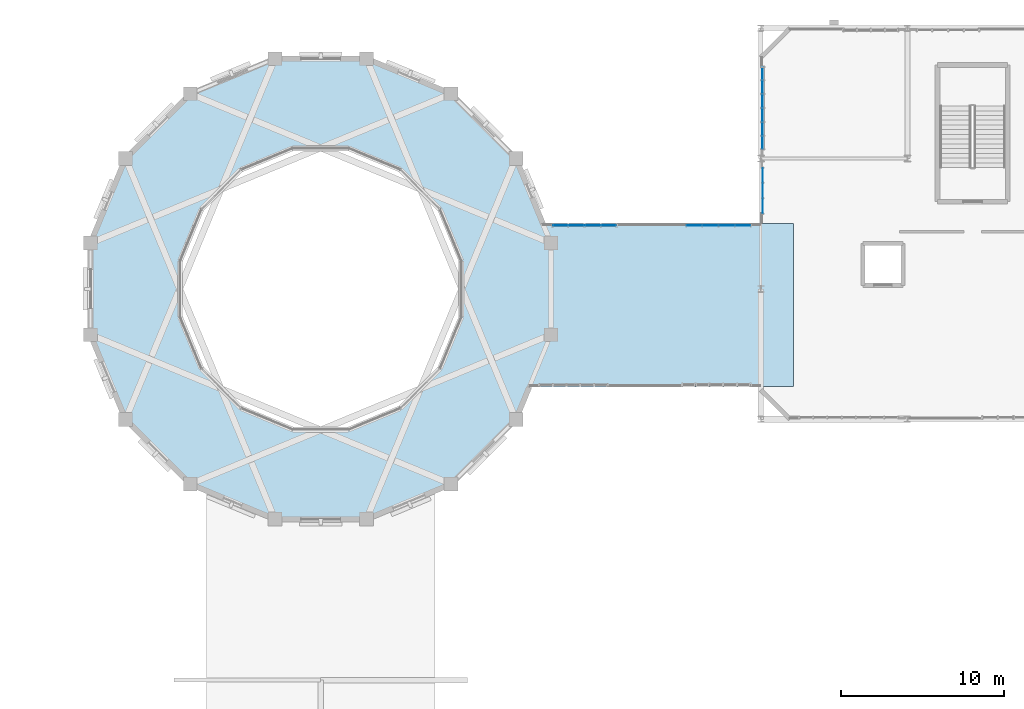
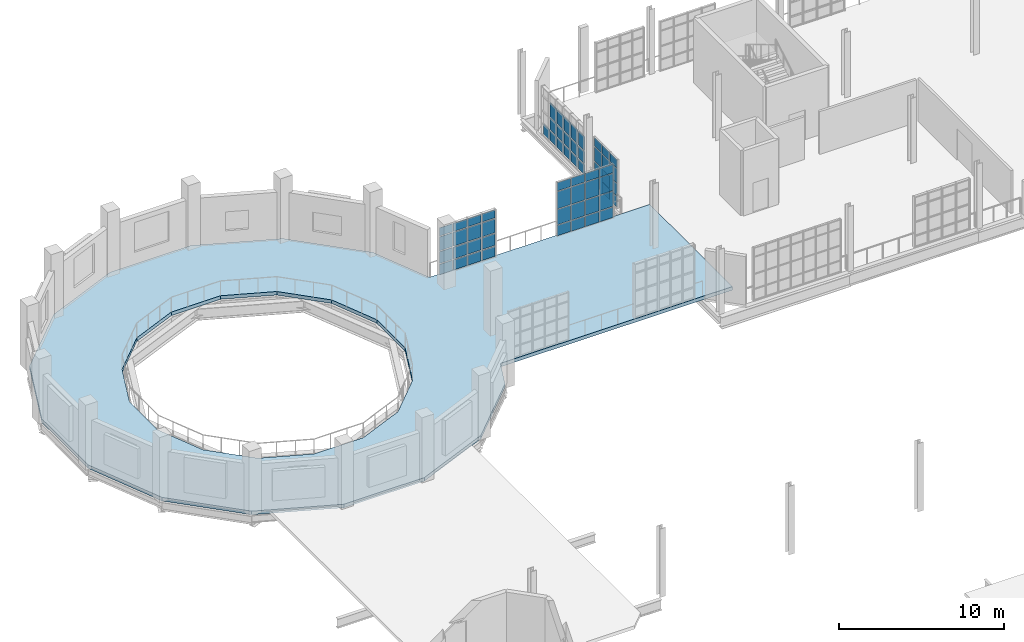
# One storey, part 88 of 122: 60 plates, 1 slab, 4 elements without a shape of their own.
"""IFC4 building model written with IfcOpenShell, lengths in metres."""

from ifc_helpers import new_model, si_unit, direction, frame, origin, origin_2d, place, context, subcontext, project, spatial, polyline, rectangle, outline, extrude, material, layer, layer_set, type_object, element, aggregate, save


model = new_model("IFC4")

# Units and contexts
model_context = context("Model", 3, precision=1e-05, world=origin(), true_north=direction((0.0, 1.0)))
body_context = subcontext(model_context, "Body", "Model", "MODEL_VIEW")
ifc_project = project(units=[si_unit("LENGTHUNIT", "METRE"), si_unit("AREAUNIT", "SQUARE_METRE"), si_unit("VOLUMEUNIT", "CUBIC_METRE"), si_unit("PLANEANGLEUNIT", "RADIAN"), si_unit("MASSUNIT", "GRAM", prefix="KILO"), si_unit("THERMODYNAMICTEMPERATUREUNIT", "KELVIN"), si_unit("POWERUNIT", "WATT")], contexts=[model_context])

# Site, building, storey
site_placement = place(None, origin())
site = spatial("IfcSite", under=ifc_project, at=site_placement, CompositionType="ELEMENT")
building_placement = place(site_placement, origin())
building = spatial("IfcBuilding", under=site, at=building_placement, Name="Zelmaris Science Centre", CompositionType="ELEMENT")
storey_placement = place(building_placement, frame((0.0, 0.0, 10.800048828125)))
storey = spatial("IfcBuildingStorey", under=building, at=storey_placement, Name="L02", CompositionType="ELEMENT", Elevation=10.800048828125)

# Curtain wall, plates
ifc_material_1 = material(Name="Anodised architectural aluminium 6063-T6", Category="aluminium")
ifc_layer_1 = layer(ifc_material_1, 0.18994140625, Name="Anodised architectural aluminium 6063-T6")
ifc_layer_set_1 = layer_set([ifc_layer_1], Name="Anodised architectural aluminium 6063-T6")
curtain_wall_type_1 = type_object("IfcCurtainWallType", Name="Curtain Wall CW-01", PredefinedType="USERDEFINED", material=ifc_layer_set_1)
curtain_wall_1_placement = place(storey_placement, origin())
curtain_wall_1 = element("IfcCurtainWall", 1, at=curtain_wall_1_placement, inside=storey, type_object=curtain_wall_type_1, Name="L02 Unitised curtain wall 201", ObjectType="GLAZED CURTAIN WALL", PredefinedType="USERDEFINED")
ifc_material_2 = material(Name="Laminated hurricane-rated low-E insulated glazing", Category="glass")
ifc_layer_2 = layer(ifc_material_2, 0.031982421875, Name="Laminated hurricane-rated low-E insulated glazing")
ifc_layer_set_2 = layer_set([ifc_layer_2], Name="Laminated hurricane-rated low-E insulated glazing")
plate_type_1 = type_object("IfcPlateType", Name="Curtain Glazing Panel CWP-1 32mm", PredefinedType="CURTAIN_PANEL", material=ifc_layer_set_2)
plate_1_placement = place(storey_placement, frame((41.70947265625, 75.88232421875, 0.05712890625), z_axis=(0.0, 0.0, 1.0), x_axis=(0.99999997989, -0.000200551507, 0.0)))
plate_1 = element("IfcPlate", 2, at=plate_1_placement, type_object=plate_type_1, Name="CW-01 panel 1.1", PredefinedType="CURTAIN_PANEL", context=body_context, shape_type="SweptSolid", body=[
    extrude(rectangle(XDim=0.88916015625, YDim=0.031982421875, at=origin_2d()), origin(), (0.0, 0.0, 1.0), 0.741943359375),
])
plate_2_placement = place(storey_placement, frame((41.70947265625, 75.88232421875, 0.87109375), z_axis=(0.0, 0.0, 1.0), x_axis=(0.99999997989, -0.000200551507, 0.0)))
plate_2 = element("IfcPlate", 3, at=plate_2_placement, type_object=plate_type_1, Name="CW-01 panel 1.2", PredefinedType="CURTAIN_PANEL", context=body_context, shape_type="SweptSolid", body=[
    extrude(rectangle(XDim=0.88916015625, YDim=0.031982421875, at=origin_2d()), origin(), (0.0, 0.0, 1.0), 0.867919921875),
])
plate_3_placement = place(storey_placement, frame((41.70947265625, 75.88232421875, 1.81103515625), z_axis=(0.0, 0.0, 1.0), x_axis=(0.99999997989, -0.000200551507, 0.0)))
plate_3 = element("IfcPlate", 4, at=plate_3_placement, type_object=plate_type_1, Name="CW-01 panel 1.3", PredefinedType="CURTAIN_PANEL", context=body_context, shape_type="SweptSolid", body=[
    extrude(rectangle(XDim=0.88916015625, YDim=0.031982421875, at=origin_2d()), origin(), (0.0, 0.0, 1.0), 1.01806640625),
])
plate_4_placement = place(storey_placement, frame((41.70947265625, 75.88232421875, 2.90087890625), z_axis=(0.0, 0.0, 1.0), x_axis=(0.99999997989, -0.000200551507, 0.0)))
plate_4 = element("IfcPlate", 5, at=plate_4_placement, type_object=plate_type_1, Name="CW-01 panel 1.4", PredefinedType="CURTAIN_PANEL", context=body_context, shape_type="SweptSolid", body=[
    extrude(rectangle(XDim=0.88916015625, YDim=0.031982421875, at=origin_2d()), origin(), (0.0, 0.0, 1.0), 0.592041015625),
])
plate_5_placement = place(storey_placement, frame((42.688720703125, 75.882080078125, 0.05712890625), z_axis=(0.0, 0.0, 1.0), x_axis=(0.99999997989, -0.000200551507, 0.0)))
plate_5 = element("IfcPlate", 6, at=plate_5_placement, type_object=plate_type_1, Name="CW-01 panel 2.1", PredefinedType="CURTAIN_PANEL", context=body_context, shape_type="SweptSolid", body=[
    extrude(rectangle(XDim=0.92529296875, YDim=0.031982421875, at=origin_2d()), origin(), (0.0, 0.0, 1.0), 0.741943359375),
])
plate_6_placement = place(storey_placement, frame((42.688720703125, 75.882080078125, 0.87109375), z_axis=(0.0, 0.0, 1.0), x_axis=(0.99999997989, -0.000200551507, 0.0)))
plate_6 = element("IfcPlate", 7, at=plate_6_placement, type_object=plate_type_1, Name="CW-01 panel 2.2", PredefinedType="CURTAIN_PANEL", context=body_context, shape_type="SweptSolid", body=[
    extrude(rectangle(XDim=0.92529296875, YDim=0.031982421875, at=origin_2d()), origin(), (0.0, 0.0, 1.0), 0.867919921875),
])
plate_7_placement = place(storey_placement, frame((42.688720703125, 75.882080078125, 1.81103515625), z_axis=(0.0, 0.0, 1.0), x_axis=(0.99999997989, -0.000200551507, 0.0)))
plate_7 = element("IfcPlate", 8, at=plate_7_placement, type_object=plate_type_1, Name="CW-01 panel 2.3", PredefinedType="CURTAIN_PANEL", context=body_context, shape_type="SweptSolid", body=[
    extrude(rectangle(XDim=0.92529296875, YDim=0.031982421875, at=origin_2d()), origin(), (0.0, 0.0, 1.0), 1.01806640625),
])
plate_8_placement = place(storey_placement, frame((42.688720703125, 75.882080078125, 2.90087890625), z_axis=(0.0, 0.0, 1.0), x_axis=(0.99999997989, -0.000200551507, 0.0)))
plate_8 = element("IfcPlate", 9, at=plate_8_placement, type_object=plate_type_1, Name="CW-01 panel 2.4", PredefinedType="CURTAIN_PANEL", context=body_context, shape_type="SweptSolid", body=[
    extrude(rectangle(XDim=0.92529296875, YDim=0.031982421875, at=origin_2d()), origin(), (0.0, 0.0, 1.0), 0.592041015625),
])
plate_9_placement = place(storey_placement, frame((43.68603515625, 75.882080078125, 0.05712890625), z_axis=(0.0, 0.0, 1.0), x_axis=(0.99999997989, -0.000200551507, 0.0)))
plate_9 = element("IfcPlate", 10, at=plate_9_placement, type_object=plate_type_1, Name="CW-01 panel 3.1", PredefinedType="CURTAIN_PANEL", context=body_context, shape_type="SweptSolid", body=[
    extrude(rectangle(XDim=0.92529296875, YDim=0.031982421875, at=origin_2d()), origin(), (0.0, 0.0, 1.0), 0.741943359375),
])
plate_10_placement = place(storey_placement, frame((43.68603515625, 75.882080078125, 0.87109375), z_axis=(0.0, 0.0, 1.0), x_axis=(0.99999997989, -0.000200551507, 0.0)))
plate_10 = element("IfcPlate", 11, at=plate_10_placement, type_object=plate_type_1, Name="CW-01 panel 3.2", PredefinedType="CURTAIN_PANEL", context=body_context, shape_type="SweptSolid", body=[
    extrude(rectangle(XDim=0.92529296875, YDim=0.031982421875, at=origin_2d()), origin(), (0.0, 0.0, 1.0), 0.867919921875),
])
plate_11_placement = place(storey_placement, frame((43.68603515625, 75.882080078125, 1.81103515625), z_axis=(0.0, 0.0, 1.0), x_axis=(0.99999997989, -0.000200551507, 0.0)))
plate_11 = element("IfcPlate", 12, at=plate_11_placement, type_object=plate_type_1, Name="CW-01 panel 3.3", PredefinedType="CURTAIN_PANEL", context=body_context, shape_type="SweptSolid", body=[
    extrude(rectangle(XDim=0.92529296875, YDim=0.031982421875, at=origin_2d()), origin(), (0.0, 0.0, 1.0), 1.01806640625),
])
plate_12_placement = place(storey_placement, frame((43.68603515625, 75.882080078125, 2.90087890625), z_axis=(0.0, 0.0, 1.0), x_axis=(0.99999997989, -0.000200551507, 0.0)))
plate_12 = element("IfcPlate", 13, at=plate_12_placement, type_object=plate_type_1, Name="CW-01 panel 3.4", PredefinedType="CURTAIN_PANEL", context=body_context, shape_type="SweptSolid", body=[
    extrude(rectangle(XDim=0.92529296875, YDim=0.031982421875, at=origin_2d()), origin(), (0.0, 0.0, 1.0), 0.592041015625),
])
plate_13_placement = place(storey_placement, frame((44.665283203125, 75.8818359375, 0.05712890625), z_axis=(0.0, 0.0, 1.0), x_axis=(0.99999997989, -0.000200551507, 0.0)))
plate_13 = element("IfcPlate", 14, at=plate_13_placement, type_object=plate_type_1, Name="CW-01 panel 4.1", PredefinedType="CURTAIN_PANEL", context=body_context, shape_type="SweptSolid", body=[
    extrude(rectangle(XDim=0.88916015625, YDim=0.031982421875, at=origin_2d()), origin(), (0.0, 0.0, 1.0), 0.741943359375),
])
plate_14_placement = place(storey_placement, frame((44.665283203125, 75.8818359375, 0.87109375), z_axis=(0.0, 0.0, 1.0), x_axis=(0.99999997989, -0.000200551507, 0.0)))
plate_14 = element("IfcPlate", 15, at=plate_14_placement, type_object=plate_type_1, Name="CW-01 panel 4.2", PredefinedType="CURTAIN_PANEL", context=body_context, shape_type="SweptSolid", body=[
    extrude(rectangle(XDim=0.88916015625, YDim=0.031982421875, at=origin_2d()), origin(), (0.0, 0.0, 1.0), 0.867919921875),
])
plate_15_placement = place(storey_placement, frame((44.665283203125, 75.8818359375, 1.81103515625), z_axis=(0.0, 0.0, 1.0), x_axis=(0.99999997989, -0.000200551507, 0.0)))
plate_15 = element("IfcPlate", 16, at=plate_15_placement, type_object=plate_type_1, Name="CW-01 panel 4.3", PredefinedType="CURTAIN_PANEL", context=body_context, shape_type="SweptSolid", body=[
    extrude(rectangle(XDim=0.88916015625, YDim=0.031982421875, at=origin_2d()), origin(), (0.0, 0.0, 1.0), 1.01806640625),
])
plate_16_placement = place(storey_placement, frame((44.665283203125, 75.8818359375, 2.90087890625), z_axis=(0.0, 0.0, 1.0), x_axis=(0.99999997989, -0.000200551507, 0.0)))
plate_16 = element("IfcPlate", 17, at=plate_16_placement, type_object=plate_type_1, Name="CW-01 panel 4.4", PredefinedType="CURTAIN_PANEL", context=body_context, shape_type="SweptSolid", body=[
    extrude(rectangle(XDim=0.88916015625, YDim=0.031982421875, at=origin_2d()), origin(), (0.0, 0.0, 1.0), 0.592041015625),
])
aggregate(curtain_wall_1, [plate_1, plate_2, plate_3, plate_4, plate_5, plate_6, plate_7, plate_8, plate_9, plate_10, plate_11, plate_12, plate_13, plate_14, plate_15, plate_16])

curtain_wall_2_placement = place(storey_placement, origin())
curtain_wall_2 = element("IfcCurtainWall", 18, at=curtain_wall_2_placement, inside=storey, type_object=curtain_wall_type_1, Name="L02 Unitised curtain wall 205", ObjectType="GLAZED CURTAIN WALL", PredefinedType="USERDEFINED")
plate_17_placement = place(storey_placement, frame((54.1201171875, 80.984619140625, 0.05712890625), z_axis=(0.0, 0.0, 1.0), x_axis=(1.9531247e-05, 0.999999999809, 0.0)))
plate_17 = element("IfcPlate", 19, at=plate_17_placement, type_object=plate_type_1, Name="CW-01 panel 1.1", PredefinedType="CURTAIN_PANEL", context=body_context, shape_type="SweptSolid", body=[
    extrude(rectangle(XDim=0.745361328125, YDim=0.031982421875, at=origin_2d()), origin(), (0.0, 0.0, 1.0), 0.741943359375),
])
plate_18_placement = place(storey_placement, frame((54.1201171875, 80.984619140625, 0.87109375), z_axis=(0.0, 0.0, 1.0), x_axis=(1.9531247e-05, 0.999999999809, 0.0)))
plate_18 = element("IfcPlate", 20, at=plate_18_placement, type_object=plate_type_1, Name="CW-01 panel 1.2", PredefinedType="CURTAIN_PANEL", context=body_context, shape_type="SweptSolid", body=[
    extrude(rectangle(XDim=0.745361328125, YDim=0.031982421875, at=origin_2d()), origin(), (0.0, 0.0, 1.0), 0.881103515625),
])
plate_19_placement = place(storey_placement, frame((54.1201171875, 80.984619140625, 1.82373046875), z_axis=(0.0, 0.0, 1.0), x_axis=(1.9531247e-05, 0.999999999809, 0.0)))
plate_19 = element("IfcPlate", 21, at=plate_19_placement, type_object=plate_type_1, Name="CW-01 panel 1.3", PredefinedType="CURTAIN_PANEL", context=body_context, shape_type="SweptSolid", body=[
    extrude(rectangle(XDim=0.745361328125, YDim=0.031982421875, at=origin_2d()), origin(), (0.0, 0.0, 1.0), 1.031005859375),
])
plate_20_placement = place(storey_placement, frame((54.1201171875, 81.820068359375, 0.05712890625), z_axis=(0.0, 0.0, 1.0), x_axis=(1.9531247e-05, 0.999999999809, 0.0)))
plate_20 = element("IfcPlate", 22, at=plate_20_placement, type_object=plate_type_1, Name="CW-01 panel 2.1", PredefinedType="CURTAIN_PANEL", context=body_context, shape_type="SweptSolid", body=[
    extrude(rectangle(XDim=0.78125, YDim=0.031982421875, at=origin_2d()), origin(), (0.0, 0.0, 1.0), 0.741943359375),
])
plate_21_placement = place(storey_placement, frame((54.1201171875, 81.820068359375, 0.87109375), z_axis=(0.0, 0.0, 1.0), x_axis=(1.9531247e-05, 0.999999999809, 0.0)))
plate_21 = element("IfcPlate", 23, at=plate_21_placement, type_object=plate_type_1, Name="CW-01 panel 2.2", PredefinedType="CURTAIN_PANEL", context=body_context, shape_type="SweptSolid", body=[
    extrude(rectangle(XDim=0.78125, YDim=0.031982421875, at=origin_2d()), origin(), (0.0, 0.0, 1.0), 0.881103515625),
])
plate_22_placement = place(storey_placement, frame((54.1201171875, 81.820068359375, 1.82373046875), z_axis=(0.0, 0.0, 1.0), x_axis=(1.9531247e-05, 0.999999999809, 0.0)))
plate_22 = element("IfcPlate", 24, at=plate_22_placement, type_object=plate_type_1, Name="CW-01 panel 2.3", PredefinedType="CURTAIN_PANEL", context=body_context, shape_type="SweptSolid", body=[
    extrude(rectangle(XDim=0.78125, YDim=0.031982421875, at=origin_2d()), origin(), (0.0, 0.0, 1.0), 1.031005859375),
])
plate_23_placement = place(storey_placement, frame((54.1201171875, 82.67333984375, 0.05712890625), z_axis=(0.0, 0.0, 1.0), x_axis=(1.9531247e-05, 0.999999999809, 0.0)))
plate_23 = element("IfcPlate", 25, at=plate_23_placement, type_object=plate_type_1, Name="CW-01 panel 3.1", PredefinedType="CURTAIN_PANEL", context=body_context, shape_type="SweptSolid", body=[
    extrude(rectangle(XDim=0.78125, YDim=0.031982421875, at=origin_2d()), origin(), (0.0, 0.0, 1.0), 0.741943359375),
])
plate_24_placement = place(storey_placement, frame((54.1201171875, 82.67333984375, 0.87109375), z_axis=(0.0, 0.0, 1.0), x_axis=(1.9531247e-05, 0.999999999809, 0.0)))
plate_24 = element("IfcPlate", 26, at=plate_24_placement, type_object=plate_type_1, Name="CW-01 panel 3.2", PredefinedType="CURTAIN_PANEL", context=body_context, shape_type="SweptSolid", body=[
    extrude(rectangle(XDim=0.78125, YDim=0.031982421875, at=origin_2d()), origin(), (0.0, 0.0, 1.0), 0.881103515625),
])
plate_25_placement = place(storey_placement, frame((54.1201171875, 82.67333984375, 1.82373046875), z_axis=(0.0, 0.0, 1.0), x_axis=(1.9531247e-05, 0.999999999809, 0.0)))
plate_25 = element("IfcPlate", 27, at=plate_25_placement, type_object=plate_type_1, Name="CW-01 panel 3.3", PredefinedType="CURTAIN_PANEL", context=body_context, shape_type="SweptSolid", body=[
    extrude(rectangle(XDim=0.78125, YDim=0.031982421875, at=origin_2d()), origin(), (0.0, 0.0, 1.0), 1.031005859375),
])
plate_26_placement = place(storey_placement, frame((54.1201171875, 83.526611328125, 0.05712890625), z_axis=(0.0, 0.0, 1.0), x_axis=(1.9531247e-05, 0.999999999809, 0.0)))
plate_26 = element("IfcPlate", 28, at=plate_26_placement, type_object=plate_type_1, Name="CW-01 panel 4.1", PredefinedType="CURTAIN_PANEL", context=body_context, shape_type="SweptSolid", body=[
    extrude(rectangle(XDim=0.78125, YDim=0.031982421875, at=origin_2d()), origin(), (0.0, 0.0, 1.0), 0.741943359375),
])
plate_27_placement = place(storey_placement, frame((54.1201171875, 83.526611328125, 0.87109375), z_axis=(0.0, 0.0, 1.0), x_axis=(1.9531247e-05, 0.999999999809, 0.0)))
plate_27 = element("IfcPlate", 29, at=plate_27_placement, type_object=plate_type_1, Name="CW-01 panel 4.2", PredefinedType="CURTAIN_PANEL", context=body_context, shape_type="SweptSolid", body=[
    extrude(rectangle(XDim=0.78125, YDim=0.031982421875, at=origin_2d()), origin(), (0.0, 0.0, 1.0), 0.881103515625),
])
plate_28_placement = place(storey_placement, frame((54.1201171875, 83.526611328125, 1.82373046875), z_axis=(0.0, 0.0, 1.0), x_axis=(1.9531247e-05, 0.999999999809, 0.0)))
plate_28 = element("IfcPlate", 30, at=plate_28_placement, type_object=plate_type_1, Name="CW-01 panel 4.3", PredefinedType="CURTAIN_PANEL", context=body_context, shape_type="SweptSolid", body=[
    extrude(rectangle(XDim=0.78125, YDim=0.031982421875, at=origin_2d()), origin(), (0.0, 0.0, 1.0), 1.031005859375),
])
plate_29_placement = place(storey_placement, frame((54.1201171875, 84.3798828125, 0.05712890625), z_axis=(0.0, 0.0, 1.0), x_axis=(1.9531247e-05, 0.999999999809, 0.0)))
plate_29 = element("IfcPlate", 31, at=plate_29_placement, type_object=plate_type_1, Name="CW-01 panel 5.1", PredefinedType="CURTAIN_PANEL", context=body_context, shape_type="SweptSolid", body=[
    extrude(rectangle(XDim=0.78125, YDim=0.031982421875, at=origin_2d()), origin(), (0.0, 0.0, 1.0), 0.741943359375),
])
plate_30_placement = place(storey_placement, frame((54.1201171875, 84.3798828125, 0.87109375), z_axis=(0.0, 0.0, 1.0), x_axis=(1.9531247e-05, 0.999999999809, 0.0)))
plate_30 = element("IfcPlate", 32, at=plate_30_placement, type_object=plate_type_1, Name="CW-01 panel 5.2", PredefinedType="CURTAIN_PANEL", context=body_context, shape_type="SweptSolid", body=[
    extrude(rectangle(XDim=0.78125, YDim=0.031982421875, at=origin_2d()), origin(), (0.0, 0.0, 1.0), 0.881103515625),
])
plate_31_placement = place(storey_placement, frame((54.1201171875, 84.3798828125, 1.82373046875), z_axis=(0.0, 0.0, 1.0), x_axis=(1.9531247e-05, 0.999999999809, 0.0)))
plate_31 = element("IfcPlate", 33, at=plate_31_placement, type_object=plate_type_1, Name="CW-01 panel 5.3", PredefinedType="CURTAIN_PANEL", context=body_context, shape_type="SweptSolid", body=[
    extrude(rectangle(XDim=0.78125, YDim=0.031982421875, at=origin_2d()), origin(), (0.0, 0.0, 1.0), 1.031005859375),
])
plate_32_placement = place(storey_placement, frame((54.1201171875, 85.21533203125, 0.05712890625), z_axis=(0.0, 0.0, 1.0), x_axis=(1.9531247e-05, 0.999999999809, 0.0)))
plate_32 = element("IfcPlate", 34, at=plate_32_placement, type_object=plate_type_1, Name="CW-01 panel 6.1", PredefinedType="CURTAIN_PANEL", context=body_context, shape_type="SweptSolid", body=[
    extrude(rectangle(XDim=0.745361328125, YDim=0.031982421875, at=origin_2d()), origin(), (0.0, 0.0, 1.0), 0.741943359375),
])
aggregate(curtain_wall_2, [plate_17, plate_18, plate_19, plate_20, plate_21, plate_22, plate_23, plate_24, plate_25, plate_26, plate_27, plate_28, plate_29, plate_30, plate_31, plate_32])

ifc_layer_3 = layer(ifc_material_1, 0.2099609375, Name="Anodised architectural aluminium 6063-T6")
ifc_layer_set_3 = layer_set([ifc_layer_3], Name="Anodised architectural aluminium 6063-T6")
curtain_wall_type_2 = type_object("IfcCurtainWallType", Name="Curtain Wall CW-03", PredefinedType="USERDEFINED", material=ifc_layer_set_3)
curtain_wall_3_placement = place(storey_placement, origin())
curtain_wall_3 = element("IfcCurtainWall", 35, at=curtain_wall_3_placement, inside=storey, type_object=curtain_wall_type_2, Name="L02 Unitised curtain wall 203", ObjectType="GLAZED CURTAIN WALL", PredefinedType="USERDEFINED")
ifc_layer_4 = layer(ifc_material_2, 0.02587890625, Name="Laminated hurricane-rated low-E insulated glazing")
ifc_layer_set_4 = layer_set([ifc_layer_4], Name="Laminated hurricane-rated low-E insulated glazing")
plate_type_2 = type_object("IfcPlateType", Name="Curtain Glazing Panel CWP-3 26mm", PredefinedType="CURTAIN_PANEL", material=ifc_layer_set_4)
plate_33_placement = place(storey_placement, frame((49.923828125, 75.880859375, 0.0419921875), z_axis=(0.0, 0.0, 1.0), x_axis=(0.999999979891, -0.00020054648, 0.0)))
plate_33 = element("IfcPlate", 36, at=plate_33_placement, type_object=plate_type_2, Name="CW-03 panel 1.1", PredefinedType="CURTAIN_PANEL", context=body_context, shape_type="SweptSolid", body=[
    extrude(rectangle(XDim=0.911865234375, YDim=0.02587890625, at=origin_2d()), origin(), (0.0, 0.0, 1.0), 0.764404296875),
])
plate_34_placement = place(storey_placement, frame((49.923828125, 75.880859375, 0.86328125), z_axis=(0.0, 0.0, 1.0), x_axis=(0.999999979891, -0.00020054648, 0.0)))
plate_34 = element("IfcPlate", 37, at=plate_34_placement, type_object=plate_type_2, Name="CW-03 panel 1.2", PredefinedType="CURTAIN_PANEL", context=body_context, shape_type="SweptSolid", body=[
    extrude(rectangle(XDim=0.911865234375, YDim=0.02587890625, at=origin_2d()), origin(), (0.0, 0.0, 1.0), 1.110595703125),
])
plate_35_placement = place(storey_placement, frame((49.923828125, 75.880859375, 2.03076171875), z_axis=(0.0, 0.0, 1.0), x_axis=(0.999999979891, -0.00020054648, 0.0)))
plate_35 = element("IfcPlate", 38, at=plate_35_placement, type_object=plate_type_2, Name="CW-03 panel 1.3", PredefinedType="CURTAIN_PANEL", context=body_context, shape_type="SweptSolid", body=[
    extrude(rectangle(XDim=0.911865234375, YDim=0.02587890625, at=origin_2d()), origin(), (0.0, 0.0, 1.0), 1.260498046875),
])
plate_36_placement = place(storey_placement, frame((49.923828125, 75.880859375, 3.3486328125), z_axis=(0.0, 0.0, 1.0), x_axis=(0.999999979891, -0.00020054648, 0.0)))
plate_36 = element("IfcPlate", 39, at=plate_36_placement, type_object=plate_type_2, Name="CW-03 panel 1.4", PredefinedType="CURTAIN_PANEL", context=body_context, shape_type="SweptSolid", body=[
    extrude(rectangle(XDim=0.911865234375, YDim=0.02587890625, at=origin_2d()), origin(), (0.0, 0.0, 1.0), 0.614501953125),
])
plate_37_placement = place(storey_placement, frame((50.90673828125, 75.880615234375, 0.0419921875), z_axis=(0.0, 0.0, 1.0), x_axis=(0.999999979891, -0.00020054648, 0.0)))
plate_37 = element("IfcPlate", 40, at=plate_37_placement, type_object=plate_type_2, Name="CW-03 panel 2.1", PredefinedType="CURTAIN_PANEL", context=body_context, shape_type="SweptSolid", body=[
    extrude(rectangle(XDim=0.940185546875, YDim=0.02587890625, at=origin_2d()), origin(), (0.0, 0.0, 1.0), 0.764404296875),
])
plate_38_placement = place(storey_placement, frame((50.90673828125, 75.880615234375, 0.86328125), z_axis=(0.0, 0.0, 1.0), x_axis=(0.999999979891, -0.00020054648, 0.0)))
plate_38 = element("IfcPlate", 41, at=plate_38_placement, type_object=plate_type_2, Name="CW-03 panel 2.2", PredefinedType="CURTAIN_PANEL", context=body_context, shape_type="SweptSolid", body=[
    extrude(rectangle(XDim=0.940185546875, YDim=0.02587890625, at=origin_2d()), origin(), (0.0, 0.0, 1.0), 1.110595703125),
])
plate_39_placement = place(storey_placement, frame((50.90673828125, 75.880615234375, 2.03076171875), z_axis=(0.0, 0.0, 1.0), x_axis=(0.999999979891, -0.00020054648, 0.0)))
plate_39 = element("IfcPlate", 42, at=plate_39_placement, type_object=plate_type_2, Name="CW-03 panel 2.3", PredefinedType="CURTAIN_PANEL", context=body_context, shape_type="SweptSolid", body=[
    extrude(rectangle(XDim=0.940185546875, YDim=0.02587890625, at=origin_2d()), origin(), (0.0, 0.0, 1.0), 1.260498046875),
])
plate_40_placement = place(storey_placement, frame((50.90673828125, 75.880615234375, 3.3486328125), z_axis=(0.0, 0.0, 1.0), x_axis=(0.999999979891, -0.00020054648, 0.0)))
plate_40 = element("IfcPlate", 43, at=plate_40_placement, type_object=plate_type_2, Name="CW-03 panel 2.4", PredefinedType="CURTAIN_PANEL", context=body_context, shape_type="SweptSolid", body=[
    extrude(rectangle(XDim=0.940185546875, YDim=0.02587890625, at=origin_2d()), origin(), (0.0, 0.0, 1.0), 0.614501953125),
])
plate_41_placement = place(storey_placement, frame((51.904052734375, 75.88037109375, 0.0419921875), z_axis=(0.0, 0.0, 1.0), x_axis=(0.999999979891, -0.00020054648, 0.0)))
plate_41 = element("IfcPlate", 44, at=plate_41_placement, type_object=plate_type_2, Name="CW-03 panel 3.1", PredefinedType="CURTAIN_PANEL", context=body_context, shape_type="SweptSolid", body=[
    extrude(rectangle(XDim=0.940185546875, YDim=0.02587890625, at=origin_2d()), origin(), (0.0, 0.0, 1.0), 0.764404296875),
])
plate_42_placement = place(storey_placement, frame((51.904052734375, 75.88037109375, 0.86328125), z_axis=(0.0, 0.0, 1.0), x_axis=(0.999999979891, -0.00020054648, 0.0)))
plate_42 = element("IfcPlate", 45, at=plate_42_placement, type_object=plate_type_2, Name="CW-03 panel 3.2", PredefinedType="CURTAIN_PANEL", context=body_context, shape_type="SweptSolid", body=[
    extrude(rectangle(XDim=0.940185546875, YDim=0.02587890625, at=origin_2d()), origin(), (0.0, 0.0, 1.0), 1.110595703125),
])
plate_43_placement = place(storey_placement, frame((51.904052734375, 75.88037109375, 2.03076171875), z_axis=(0.0, 0.0, 1.0), x_axis=(0.999999979891, -0.00020054648, 0.0)))
plate_43 = element("IfcPlate", 46, at=plate_43_placement, type_object=plate_type_2, Name="CW-03 panel 3.3", PredefinedType="CURTAIN_PANEL", context=body_context, shape_type="SweptSolid", body=[
    extrude(rectangle(XDim=0.940185546875, YDim=0.02587890625, at=origin_2d()), origin(), (0.0, 0.0, 1.0), 1.260498046875),
])
plate_44_placement = place(storey_placement, frame((51.904052734375, 75.88037109375, 3.3486328125), z_axis=(0.0, 0.0, 1.0), x_axis=(0.999999979891, -0.00020054648, 0.0)))
plate_44 = element("IfcPlate", 47, at=plate_44_placement, type_object=plate_type_2, Name="CW-03 panel 3.4", PredefinedType="CURTAIN_PANEL", context=body_context, shape_type="SweptSolid", body=[
    extrude(rectangle(XDim=0.940185546875, YDim=0.02587890625, at=origin_2d()), origin(), (0.0, 0.0, 1.0), 0.614501953125),
])
plate_45_placement = place(storey_placement, frame((52.88720703125, 75.880126953125, 0.0419921875), z_axis=(0.0, 0.0, 1.0), x_axis=(0.999999979891, -0.00020054648, 0.0)))
plate_45 = element("IfcPlate", 48, at=plate_45_placement, type_object=plate_type_2, Name="CW-03 panel 4.1", PredefinedType="CURTAIN_PANEL", context=body_context, shape_type="SweptSolid", body=[
    extrude(rectangle(XDim=0.911865234375, YDim=0.02587890625, at=origin_2d()), origin(), (0.0, 0.0, 1.0), 0.764404296875),
])
plate_46_placement = place(storey_placement, frame((52.88720703125, 75.880126953125, 0.86328125), z_axis=(0.0, 0.0, 1.0), x_axis=(0.999999979891, -0.00020054648, 0.0)))
plate_46 = element("IfcPlate", 49, at=plate_46_placement, type_object=plate_type_2, Name="CW-03 panel 4.2", PredefinedType="CURTAIN_PANEL", context=body_context, shape_type="SweptSolid", body=[
    extrude(rectangle(XDim=0.911865234375, YDim=0.02587890625, at=origin_2d()), origin(), (0.0, 0.0, 1.0), 1.110595703125),
])
plate_47_placement = place(storey_placement, frame((52.88720703125, 75.880126953125, 2.03076171875), z_axis=(0.0, 0.0, 1.0), x_axis=(0.999999979891, -0.00020054648, 0.0)))
plate_47 = element("IfcPlate", 50, at=plate_47_placement, type_object=plate_type_2, Name="CW-03 panel 4.3", PredefinedType="CURTAIN_PANEL", context=body_context, shape_type="SweptSolid", body=[
    extrude(rectangle(XDim=0.911865234375, YDim=0.02587890625, at=origin_2d()), origin(), (0.0, 0.0, 1.0), 1.260498046875),
])
plate_48_placement = place(storey_placement, frame((52.88720703125, 75.880126953125, 3.3486328125), z_axis=(0.0, 0.0, 1.0), x_axis=(0.999999979891, -0.00020054648, 0.0)))
plate_48 = element("IfcPlate", 51, at=plate_48_placement, type_object=plate_type_2, Name="CW-03 panel 4.4", PredefinedType="CURTAIN_PANEL", context=body_context, shape_type="SweptSolid", body=[
    extrude(rectangle(XDim=0.911865234375, YDim=0.02587890625, at=origin_2d()), origin(), (0.0, 0.0, 1.0), 0.614501953125),
])
aggregate(curtain_wall_3, [plate_33, plate_34, plate_35, plate_36, plate_37, plate_38, plate_39, plate_40, plate_41, plate_42, plate_43, plate_44, plate_45, plate_46, plate_47, plate_48])

ifc_layer_5 = layer(ifc_material_1, 0.219970703125, Name="Anodised architectural aluminium 6063-T6")
ifc_layer_set_5 = layer_set([ifc_layer_5], Name="Anodised architectural aluminium 6063-T6")
curtain_wall_type_3 = type_object("IfcCurtainWallType", Name="Curtain Wall CW-04", PredefinedType="USERDEFINED", material=ifc_layer_set_5)
curtain_wall_4_placement = place(storey_placement, origin())
curtain_wall_4 = element("IfcCurtainWall", 52, at=curtain_wall_4_placement, inside=storey, type_object=curtain_wall_type_3, Name="L02 Unitised curtain wall 204", ObjectType="GLAZED CURTAIN WALL", PredefinedType="USERDEFINED")
ifc_layer_6 = layer(ifc_material_2, 0.02392578125, Name="Laminated hurricane-rated low-E insulated glazing")
ifc_layer_set_6 = layer_set([ifc_layer_6], Name="Laminated hurricane-rated low-E insulated glazing")
plate_type_3 = type_object("IfcPlateType", Name="Curtain Glazing Panel CWP-4 24mm", PredefinedType="CURTAIN_PANEL", material=ifc_layer_set_6)
plate_49_placement = place(storey_placement, frame((54.1201171875, 77.089599609375, 0.036865234375), z_axis=(0.0, 0.0, 1.0), x_axis=(0.0, 1.0, 0.0)))
plate_49 = element("IfcPlate", 53, at=plate_49_placement, type_object=plate_type_3, Name="CW-04 panel 1.1", PredefinedType="CURTAIN_PANEL", context=body_context, shape_type="SweptSolid", body=[
    extrude(rectangle(XDim=0.875244140625, YDim=0.02392578125, at=origin_2d()), origin(), (0.0, 0.0, 1.0), 0.77197265625),
])
plate_50_placement = place(storey_placement, frame((54.1201171875, 77.089599609375, 0.861083984375), z_axis=(0.0, 0.0, 1.0), x_axis=(0.0, 1.0, 0.0)))
plate_50 = element("IfcPlate", 54, at=plate_50_placement, type_object=plate_type_3, Name="CW-04 panel 1.2", PredefinedType="CURTAIN_PANEL", context=body_context, shape_type="SweptSolid", body=[
    extrude(rectangle(XDim=0.875244140625, YDim=0.02392578125, at=origin_2d()), origin(), (0.0, 0.0, 1.0), 0.90087890625),
])
plate_51_placement = place(storey_placement, frame((54.1201171875, 77.089599609375, 1.81396484375), z_axis=(0.0, 0.0, 1.0), x_axis=(0.0, 1.0, 0.0)))
plate_51 = element("IfcPlate", 55, at=plate_51_placement, type_object=plate_type_3, Name="CW-04 panel 1.3", PredefinedType="CURTAIN_PANEL", context=body_context, shape_type="SweptSolid", body=[
    extrude(rectangle(XDim=0.875244140625, YDim=0.02392578125, at=origin_2d()), origin(), (0.0, 0.0, 1.0), 1.051025390625),
])
plate_52_placement = place(storey_placement, frame((54.1201171875, 77.089599609375, 2.9169921875), z_axis=(0.0, 0.0, 1.0), x_axis=(0.0, 1.0, 0.0)))
plate_52 = element("IfcPlate", 56, at=plate_52_placement, type_object=plate_type_3, Name="CW-04 panel 1.4", PredefinedType="CURTAIN_PANEL", context=body_context, shape_type="SweptSolid", body=[
    extrude(rectangle(XDim=0.875244140625, YDim=0.02392578125, at=origin_2d()), origin(), (0.0, 0.0, 1.0), 0.6220703125),
])
plate_53_placement = place(storey_placement, frame((54.1201171875, 78.030029296875, 0.036865234375), z_axis=(0.0, 0.0, 1.0), x_axis=(0.0, 1.0, 0.0)))
plate_53 = element("IfcPlate", 57, at=plate_53_placement, type_object=plate_type_3, Name="CW-04 panel 2.1", PredefinedType="CURTAIN_PANEL", context=body_context, shape_type="SweptSolid", body=[
    extrude(rectangle(XDim=0.9013671875, YDim=0.02392578125, at=origin_2d()), origin(), (0.0, 0.0, 1.0), 0.77197265625),
])
plate_54_placement = place(storey_placement, frame((54.1201171875, 78.030029296875, 0.861083984375), z_axis=(0.0, 0.0, 1.0), x_axis=(0.0, 1.0, 0.0)))
plate_54 = element("IfcPlate", 58, at=plate_54_placement, type_object=plate_type_3, Name="CW-04 panel 2.2", PredefinedType="CURTAIN_PANEL", context=body_context, shape_type="SweptSolid", body=[
    extrude(rectangle(XDim=0.9013671875, YDim=0.02392578125, at=origin_2d()), origin(), (0.0, 0.0, 1.0), 0.90087890625),
])
plate_55_placement = place(storey_placement, frame((54.1201171875, 78.030029296875, 1.81396484375), z_axis=(0.0, 0.0, 1.0), x_axis=(0.0, 1.0, 0.0)))
plate_55 = element("IfcPlate", 59, at=plate_55_placement, type_object=plate_type_3, Name="CW-04 panel 2.3", PredefinedType="CURTAIN_PANEL", context=body_context, shape_type="SweptSolid", body=[
    extrude(rectangle(XDim=0.9013671875, YDim=0.02392578125, at=origin_2d()), origin(), (0.0, 0.0, 1.0), 1.051025390625),
])
plate_56_placement = place(storey_placement, frame((54.1201171875, 78.030029296875, 2.9169921875), z_axis=(0.0, 0.0, 1.0), x_axis=(0.0, 1.0, 0.0)))
plate_56 = element("IfcPlate", 60, at=plate_56_placement, type_object=plate_type_3, Name="CW-04 panel 2.4", PredefinedType="CURTAIN_PANEL", context=body_context, shape_type="SweptSolid", body=[
    extrude(rectangle(XDim=0.9013671875, YDim=0.02392578125, at=origin_2d()), origin(), (0.0, 0.0, 1.0), 0.6220703125),
])
plate_57_placement = place(storey_placement, frame((54.1201171875, 78.97021484375, 0.036865234375), z_axis=(0.0, 0.0, 1.0), x_axis=(0.0, 1.0, 0.0)))
plate_57 = element("IfcPlate", 61, at=plate_57_placement, type_object=plate_type_3, Name="CW-04 panel 3.1", PredefinedType="CURTAIN_PANEL", context=body_context, shape_type="SweptSolid", body=[
    extrude(rectangle(XDim=0.875244140625, YDim=0.02392578125, at=origin_2d()), origin(), (0.0, 0.0, 1.0), 0.77197265625),
])
plate_58_placement = place(storey_placement, frame((54.1201171875, 78.97021484375, 0.861083984375), z_axis=(0.0, 0.0, 1.0), x_axis=(0.0, 1.0, 0.0)))
plate_58 = element("IfcPlate", 62, at=plate_58_placement, type_object=plate_type_3, Name="CW-04 panel 3.2", PredefinedType="CURTAIN_PANEL", context=body_context, shape_type="SweptSolid", body=[
    extrude(rectangle(XDim=0.875244140625, YDim=0.02392578125, at=origin_2d()), origin(), (0.0, 0.0, 1.0), 0.90087890625),
])
plate_59_placement = place(storey_placement, frame((54.1201171875, 78.97021484375, 1.81396484375), z_axis=(0.0, 0.0, 1.0), x_axis=(0.0, 1.0, 0.0)))
plate_59 = element("IfcPlate", 63, at=plate_59_placement, type_object=plate_type_3, Name="CW-04 panel 3.3", PredefinedType="CURTAIN_PANEL", context=body_context, shape_type="SweptSolid", body=[
    extrude(rectangle(XDim=0.875244140625, YDim=0.02392578125, at=origin_2d()), origin(), (0.0, 0.0, 1.0), 1.051025390625),
])
plate_60_placement = place(storey_placement, frame((54.1201171875, 78.97021484375, 2.9169921875), z_axis=(0.0, 0.0, 1.0), x_axis=(0.0, 1.0, 0.0)))
plate_60 = element("IfcPlate", 64, at=plate_60_placement, type_object=plate_type_3, Name="CW-04 panel 3.4", PredefinedType="CURTAIN_PANEL", context=body_context, shape_type="SweptSolid", body=[
    extrude(rectangle(XDim=0.875244140625, YDim=0.02392578125, at=origin_2d()), origin(), (0.0, 0.0, 1.0), 0.6220703125),
])
aggregate(curtain_wall_4, [plate_49, plate_50, plate_51, plate_52, plate_53, plate_54, plate_55, plate_56, plate_57, plate_58, plate_59, plate_60])

# Slab
ifc_material_3 = material(Name="Concrete C35/45", Category="concrete")
ifc_layer_7 = layer(ifc_material_3, 0.260009765625, Name="Concrete C35/45")
ifc_layer_set_7 = layer_set([ifc_layer_7], Name="Concrete C35/45")
slab_type = type_object("IfcSlabType", Name="Slab SL-FL260 260mm", PredefinedType="FLOOR", material=ifc_layer_set_7)
slab_placement = place(storey_placement, frame((0.0, 0.0, -0.260009765625)))
element("IfcSlab", 65, at=slab_placement, inside=storey, type_object=slab_type, Name="L02 Planetarium ring gallery slab", PredefinedType="FLOOR", context=body_context, shape_type="SweptSolid", body=[
    extrude(outline(polyline([(35.000244140625, 60.02685546875), (29.809326171875, 57.876708984375), (24.190673828125, 57.876708984375), (18.999755859375, 60.02685546875), (15.02685546875, 63.999755859375), (12.876708984375, 69.190673828125), (12.876708984375, 74.809326171875), (15.02685546875, 80.000244140625), (18.999755859375, 83.97314453125), (24.190673828125, 86.123291015625), (29.809326171875, 86.123291015625), (35.000244140625, 83.97314453125), (38.97314453125, 80.000244140625), (40.630126953125, 76.0), (56.0, 76.0), (56.0, 66.0), (39.8017578125, 66.0), (38.97314453125, 63.999755859375), (35.000244140625, 60.02685546875)]), holes=[polyline([(35.630859375, 73.716796875), (34.31689453125, 76.888916015625), (31.888916015625, 79.31689453125), (28.716796875, 80.630859375), (25.283203125, 80.630859375), (22.111083984375, 79.31689453125), (19.68310546875, 76.888916015625), (18.369140625, 73.716796875), (18.369140625, 70.283203125), (19.68310546875, 67.111083984375), (22.111083984375, 64.68310546875), (25.283203125, 63.369140625), (28.716796875, 63.369140625), (31.888916015625, 64.68310546875), (34.31689453125, 67.111083984375), (35.630859375, 70.283203125), (35.630859375, 73.716796875)])]), origin(), (0.0, 0.0, 1.0), 0.260009765625),
])

save(model, "model.ifc")
